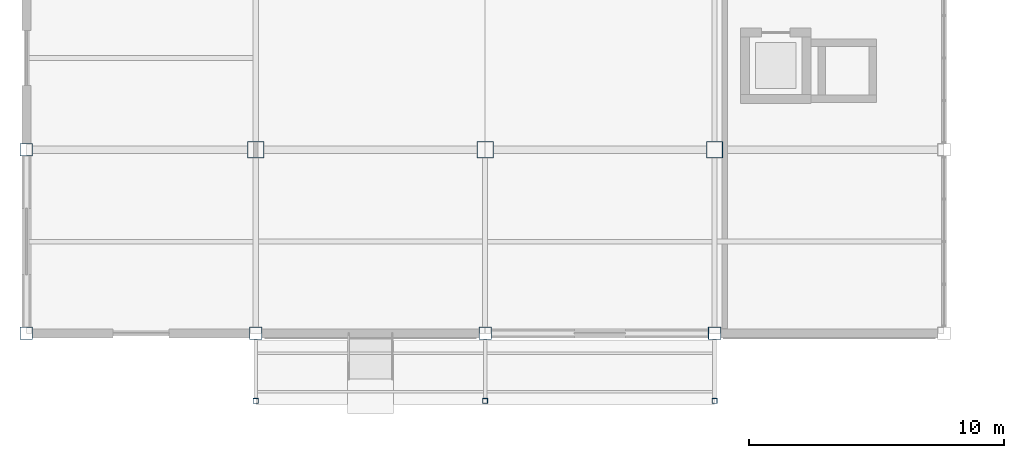
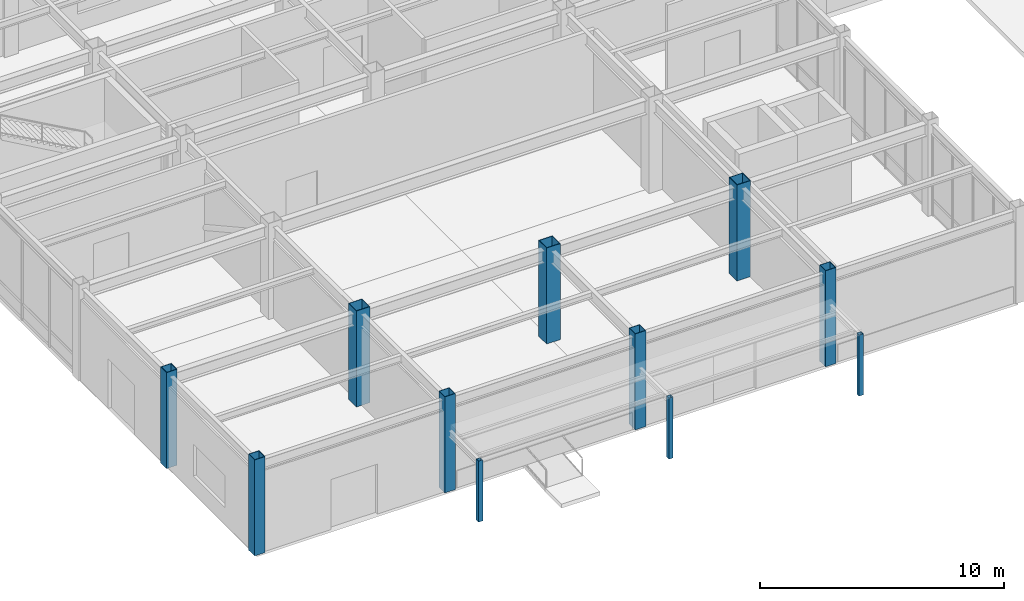
# One storey, part 1 of 112: 11 columns.
"""IFC4 building model written with IfcOpenShell, lengths in metres."""

from ifc_helpers import new_model, si_unit, direction, frame, origin, origin_2d, place, context, subcontext, project, spatial, hollow_rectangle, extrude, material, material_profile, profile_set, type_object, element, save


model = new_model("IFC4")

# Units and contexts
model_context = context("Model", 3, precision=1e-05, world=origin(), true_north=direction((0.0, 1.0)))
body_context = subcontext(model_context, "Body", "Model", "MODEL_VIEW")
ifc_project = project(units=[si_unit("LENGTHUNIT", "METRE"), si_unit("AREAUNIT", "SQUARE_METRE"), si_unit("VOLUMEUNIT", "CUBIC_METRE"), si_unit("PLANEANGLEUNIT", "RADIAN"), si_unit("MASSUNIT", "GRAM", prefix="KILO")], contexts=[model_context])

# Site, building, storey
site_placement = place(None, origin())
site = spatial("IfcSite", under=ifc_project, at=site_placement, CompositionType="ELEMENT")
building_placement = place(site_placement, origin())
building = spatial("IfcBuilding", under=site, at=building_placement, Name="Kazanami Central Library", CompositionType="ELEMENT")
storey_placement = place(building_placement, origin())
storey = spatial("IfcBuildingStorey", under=building, at=storey_placement, Name="L01", CompositionType="ELEMENT", Elevation=0.0)

# Columns
ifc_material_1 = material(Name="Steel BCP325 (325 MPa)", Category="steel")
ifc_material_profile_1 = material_profile(ifc_material_1, hollow_rectangle(XDim=0.5, YDim=0.5, WallThickness=0.02197265625, at=origin_2d()), Name="BCP-500x500x22")
ifc_profile_set_1 = profile_set([ifc_material_profile_1], Name="Steel BCP325 (325 MPa)")
column_type_1 = type_object("IfcColumnType", Name="COL-C-P1E", PredefinedType="COLUMN", material=ifc_profile_set_1)
for number, where, z_axis, x_axis, name in (
    (1, (0.0, 0.0, 0.0), (0.0, 0.0, 1.0), (1.0, 0.0, 0.0), "Column C-P1E L01 1/A"),
    (2, (0.0, 7.199951171875, 0.0), (0.0, 0.0, 1.0), (1.0, 0.0, 0.0), "Column C-P1E L01 1/B"),
    (3, (9.0, 0.0, 0.0), (0.0, 0.0, 1.0), (1.0, 0.0, 0.0), "Column C-P1E L01 2/A"),
    (4, (18.0, 0.0, 0.0), (0.0, 0.0, 1.0), (1.0, 0.0, 0.0), "Column C-P1E L01 3/A"),
    (5, (27.0, 0.0, 0.0), (0.0, 0.0, 1.0), (1.0, 0.0, 0.0), "Column C-P1E L01 4/A"),
):
    element("IfcColumn", number, at=place(storey_placement, frame(where, z_axis=z_axis, x_axis=x_axis)), inside=storey, type_object=column_type_1, Name=name, PredefinedType="COLUMN", context=body_context, shape_type="SweptSolid", body=[
        extrude(hollow_rectangle(XDim=0.5, YDim=0.5, WallThickness=0.02197265625, at=origin_2d()), origin(), (0.0, 0.0, 1.0), 4.800048828125),
    ])
ifc_material_profile_2 = material_profile(ifc_material_1, hollow_rectangle(XDim=0.64990234375, YDim=0.64990234375, WallThickness=0.02490234375, at=origin_2d()), Name="BCP-650x650x25")
ifc_profile_set_2 = profile_set([ifc_material_profile_2], Name="Steel BCP325 (325 MPa)")
column_type_2 = type_object("IfcColumnType", Name="COL-C-P1I", PredefinedType="COLUMN", material=ifc_profile_set_2)
for number, where, z_axis, x_axis, name in (
    (6, (9.0, 7.199951171875, 0.0), (0.0, 0.0, 1.0), (1.0, 0.0, 0.0), "Column C-P1I L01 2/B"),
    (7, (18.0, 7.199951171875, 0.0), (0.0, 0.0, 1.0), (1.0, 0.0, 0.0), "Column C-P1I L01 3/B"),
    (8, (27.0, 7.199951171875, 0.0), (0.0, 0.0, 1.0), (1.0, 0.0, 0.0), "Column C-P1I L01 4/B"),
):
    element("IfcColumn", number, at=place(storey_placement, frame(where, z_axis=z_axis, x_axis=x_axis)), inside=storey, type_object=column_type_2, Name=name, PredefinedType="COLUMN", context=body_context, shape_type="SweptSolid", body=[
        extrude(hollow_rectangle(XDim=0.64990234375, YDim=0.64990234375, WallThickness=0.02490234375, at=origin_2d()), origin(), (0.0, 0.0, 1.0), 4.800048828125),
    ])
ifc_material_2 = material(Name="Steel STK490 (315 MPa)", Category="steel")
ifc_material_profile_3 = material_profile(ifc_material_2, hollow_rectangle(XDim=0.199951171875, YDim=0.199951171875, WallThickness=0.009033203125, at=origin_2d()), Name="STKR-200x200x9")
ifc_profile_set_3 = profile_set([ifc_material_profile_3], Name="Steel STK490 (315 MPa)")
column_type_3 = type_object("IfcColumnType", Name="COL-CAN-200", PredefinedType="COLUMN", material=ifc_profile_set_3)
for number, where, z_axis, x_axis, name in (
    (9, (9.0, -2.64990234375, 0.0), (0.0, 0.0, 1.0), (1.0, 0.0, 0.0), "Canopy Post CAN-V3-SW X=9"),
    (10, (18.0, -2.64990234375, 0.0), (0.0, 0.0, 1.0), (1.0, 0.0, 0.0), "Canopy Post CAN-V3-SW X=18"),
    (11, (27.0, -2.64990234375, 0.0), (0.0, 0.0, 1.0), (1.0, 0.0, 0.0), "Canopy Post CAN-V3-SW X=27"),
):
    element("IfcColumn", number, at=place(storey_placement, frame(where, z_axis=z_axis, x_axis=x_axis)), inside=storey, type_object=column_type_3, Name=name, PredefinedType="COLUMN", context=body_context, shape_type="SweptSolid", body=[
        extrude(hollow_rectangle(XDim=0.199951171875, YDim=0.199951171875, WallThickness=0.009033203125, at=origin_2d()), origin(), (0.0, 0.0, 1.0), 3.050048828125),
    ])

save(model, "model.ifc")
